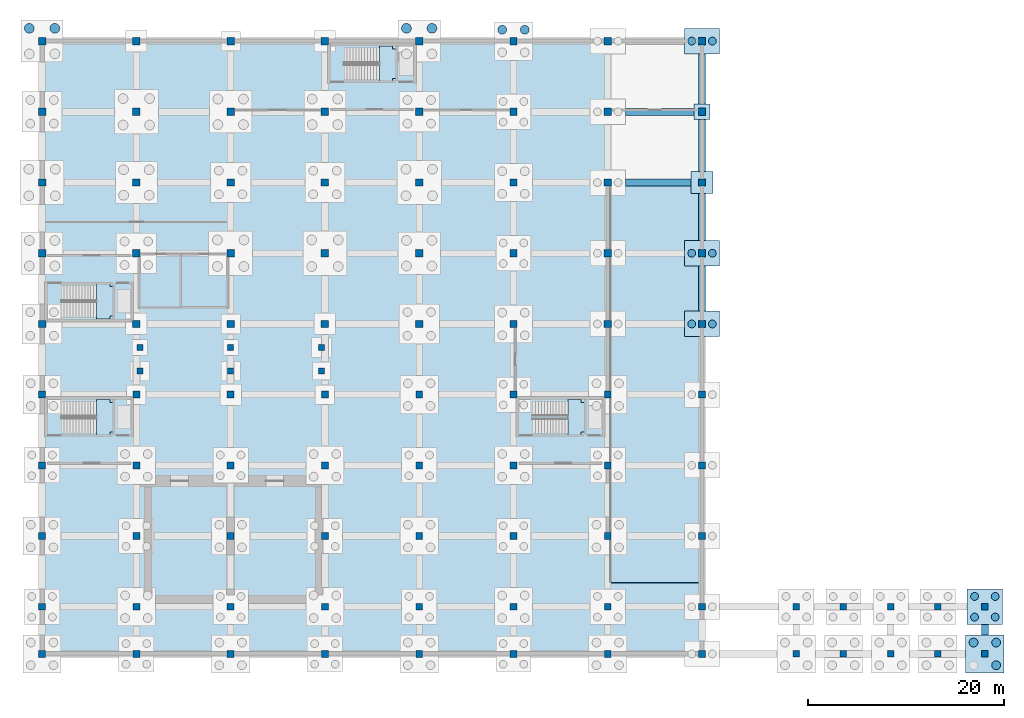
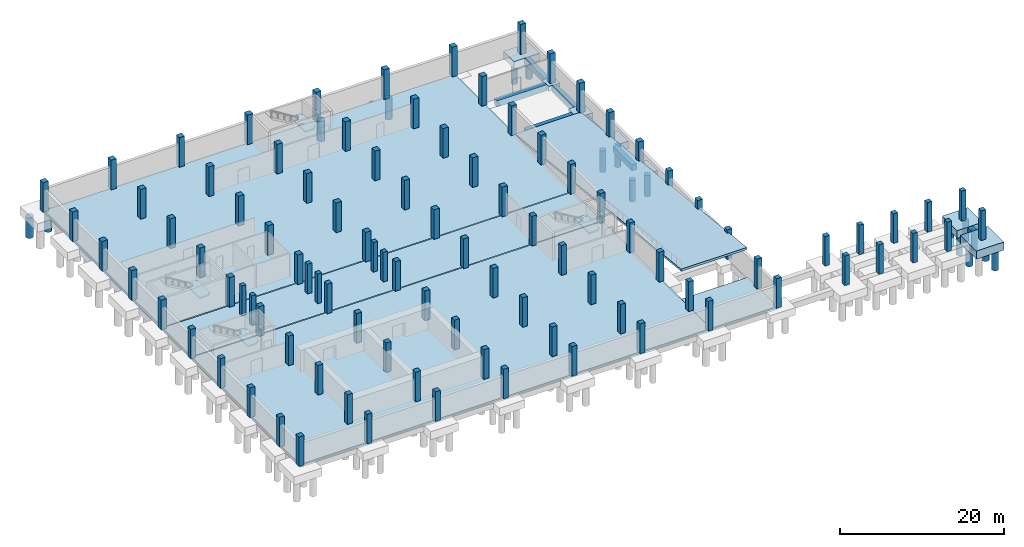
# One storey, part 5 of 13: 96 columns, 19 piles, 14 footings, 9 slabs, 4 elements without a shape of their own.
"""IFC4 building model written with IfcOpenShell, lengths in metres."""

from ifc_helpers import new_model, si_unit, direction, frame, origin, origin_2d, place, context, subcontext, project, spatial, polyline, rectangle, circle, outline, extrude, material, layer, layer_set, material_profile, profile_set, type_object, element, aggregate, save


model = new_model("IFC4")

# Units and contexts
model_context = context("Model", 3, precision=1e-05, world=origin(), true_north=direction((0.0, 1.0)))
body_context = subcontext(model_context, "Body", "Model", "MODEL_VIEW")
ifc_project = project(units=[si_unit("LENGTHUNIT", "METRE"), si_unit("AREAUNIT", "SQUARE_METRE"), si_unit("VOLUMEUNIT", "CUBIC_METRE"), si_unit("PLANEANGLEUNIT", "RADIAN"), si_unit("MASSUNIT", "GRAM", prefix="KILO")], contexts=[model_context])

# Site, building, storey
site_placement = place(None, origin())
site = spatial("IfcSite", under=ifc_project, at=site_placement, CompositionType="ELEMENT")
building_placement = place(site_placement, origin())
building = spatial("IfcBuilding", under=site, at=building_placement, Name="Asteropetra Specialist Clinic", CompositionType="ELEMENT")
storey_placement = place(building_placement, frame((0.0, 0.0, -4.419921875)))
storey = spatial("IfcBuildingStorey", under=building, at=storey_placement, Name="B1", CompositionType="ELEMENT", Elevation=-4.419921875)

# Footings
ifc_material_1 = material(Name="Concrete C35/45", Category="concrete")
ifc_material_profile_1 = material_profile(ifc_material_1, rectangle(XDim=0.699951171875, YDim=0.89990234375, at=origin_2d()), Name="FB 700x900")
ifc_profile_set_1 = profile_set([ifc_material_profile_1], Name="Concrete C35/45")
footing_type_1 = type_object("IfcFootingType", Name="FB-700x900", PredefinedType="FOOTING_BEAM", material=ifc_profile_set_1)
footing_1_placement = place(storey_placement, frame((59.39990234375, 48.0, -0.4501953125), z_axis=(1.0, 0.0, 0.0), x_axis=(0.0, 1.0, 0.0)))
element("IfcFooting", 1, at=footing_1_placement, inside=storey, type_object=footing_type_1, Name="Footing Tie Beam FB-0197", PredefinedType="FOOTING_BEAM", context=body_context, shape_type="SweptSolid", body=[
    extrude(rectangle(XDim=0.699951171875, YDim=0.89990234375, at=origin_2d()), origin(), (0.0, 0.0, 1.0), 6.7001953125),
])
footing_2_placement = place(storey_placement, frame((59.39990234375, 55.199951171875, -0.4501953125), z_axis=(1.0, 0.0, 0.0), x_axis=(0.0, 1.0, 0.0)))
element("IfcFooting", 2, at=footing_2_placement, inside=storey, type_object=footing_type_1, Name="Footing Tie Beam FB-0199", PredefinedType="FOOTING_BEAM", context=body_context, shape_type="SweptSolid", body=[
    extrude(rectangle(XDim=0.699951171875, YDim=0.89990234375, at=origin_2d()), origin(), (0.0, 0.0, 1.0), 7.0),
])
footing_3_placement = place(storey_placement, frame((67.199951171875, 34.89990234375, -0.4501953125), z_axis=(0.0, 1.0, 0.0), x_axis=(-1.0, 0.0, 0.0)))
element("IfcFooting", 3, at=footing_3_placement, inside=storey, type_object=footing_type_1, Name="Footing Tie Beam FB-0217", PredefinedType="FOOTING_BEAM", context=body_context, shape_type="SweptSolid", body=[
    extrude(rectangle(XDim=0.699951171875, YDim=0.89990234375, at=origin_2d()), origin(), (0.0, 0.0, 1.0), 4.60009765625),
])
footing_4_placement = place(storey_placement, frame((67.199951171875, 42.10009765625, -0.4501953125), z_axis=(0.0, 1.0, 0.0), x_axis=(-1.0, 0.0, 0.0)))
element("IfcFooting", 4, at=footing_4_placement, inside=storey, type_object=footing_type_1, Name="Footing Tie Beam FB-0218", PredefinedType="FOOTING_BEAM", context=body_context, shape_type="SweptSolid", body=[
    extrude(rectangle(XDim=0.699951171875, YDim=0.89990234375, at=origin_2d()), origin(), (0.0, 0.0, 1.0), 4.7998046875),
])
footing_5_placement = place(storey_placement, frame((67.199951171875, 49.10009765625, -0.4501953125), z_axis=(0.0, 1.0, 0.0), x_axis=(-1.0, 0.0, 0.0)))
element("IfcFooting", 5, at=footing_5_placement, inside=storey, type_object=footing_type_1, Name="Footing Tie Beam FB-0219", PredefinedType="FOOTING_BEAM", context=body_context, shape_type="SweptSolid", body=[
    extrude(rectangle(XDim=0.699951171875, YDim=0.89990234375, at=origin_2d()), origin(), (0.0, 0.0, 1.0), 5.2998046875),
])
footing_6_placement = place(storey_placement, frame((67.199951171875, 56.0, -0.4501953125), z_axis=(0.0, 1.0, 0.0), x_axis=(-1.0, 0.0, 0.0)))
element("IfcFooting", 6, at=footing_6_placement, inside=storey, type_object=footing_type_1, Name="Footing Tie Beam FB-0220", PredefinedType="FOOTING_BEAM", context=body_context, shape_type="SweptSolid", body=[
    extrude(rectangle(XDim=0.699951171875, YDim=0.89990234375, at=origin_2d()), origin(), (0.0, 0.0, 1.0), 5.10009765625),
])
footing_7_placement = place(storey_placement, frame((96.0, 1.949951171875, -0.4501953125), z_axis=(0.0, 1.0, 0.0), x_axis=(-1.0, 0.0, 0.0)))
element("IfcFooting", 7, at=footing_7_placement, inside=storey, type_object=footing_type_1, Name="Footing Tie Beam FB-0279", PredefinedType="FOOTING_BEAM", context=body_context, shape_type="SweptSolid", body=[
    extrude(rectangle(XDim=0.699951171875, YDim=0.89990234375, at=origin_2d()), origin(), (0.0, 0.0, 1.0), 1.050048828125),
])
ifc_material_2 = material(Name="Concrete C35/45", Category="concrete")
footing_type_2 = type_object("IfcFootingType", Name="PC-2600", PredefinedType="PILE_CAP", material=ifc_material_2)
for number, where, z_axis, x_axis, name in (
    (8, (67.199951171875, 33.60009765625, -1.10009765625), (0.0, 0.0, 1.0), (1.0, 0.0, 0.0), "Pile Cap PC-01-133"),
    (9, (67.199951171875, 40.800048828125, -1.10009765625), (0.0, 0.0, 1.0), (1.0, 0.0, 0.0), "Pile Cap PC-01-134"),
    (10, (67.199951171875, 62.39990234375, -1.10009765625), (0.0, 0.0, 1.0), (1.0, 0.0, 0.0), "Pile Cap PC-01-137"),
):
    element("IfcFooting", number, at=place(storey_placement, frame(where, z_axis=z_axis, x_axis=x_axis)), inside=storey, type_object=footing_type_2, Name=name, PredefinedType="PILE_CAP", context=body_context, shape_type="SweptSolid", body=[
        extrude(rectangle(XDim=3.60009765625, YDim=2.60009765625, at=origin_2d()), origin(), (0.0, 0.0, 1.0), 1.10009765625),
    ])
ifc_material_3 = material(Name="Concrete C35/45", Category="concrete")
footing_type_3 = type_object("IfcFootingType", Name="PC-2800", PredefinedType="PILE_CAP", material=ifc_material_3)
footing_8_placement = place(storey_placement, frame((96.0, 4.800048828125, -1.150146484375), z_axis=(0.0, 0.0, 1.0), x_axis=(1.0, 0.0, 0.0)))
element("IfcFooting", 11, at=footing_8_placement, inside=storey, type_object=footing_type_3, Name="Pile Cap PC-02-184", PredefinedType="PILE_CAP", context=body_context, shape_type="SweptSolid", body=[
    extrude(rectangle(XDim=3.60009765625, YDim=3.60009765625, at=origin_2d()), origin(), (0.0, 0.0, 1.0), 1.14990234375),
])
ifc_material_4 = material(Name="Concrete C35/45", Category="concrete")
footing_type_4 = type_object("IfcFootingType", Name="PC-3000", PredefinedType="PILE_CAP", material=ifc_material_4)
footing_9_placement = place(storey_placement, frame((96.0, 0.0, -1.2001953125), z_axis=(0.0, 0.0, 1.0), x_axis=(1.0, 0.0, 0.0)))
element("IfcFooting", 12, at=footing_9_placement, inside=storey, type_object=footing_type_4, Name="Pile Cap PC-03-183", PredefinedType="PILE_CAP", context=body_context, shape_type="SweptSolid", body=[
    extrude(rectangle(XDim=3.89990234375, YDim=3.89990234375, at=origin_2d()), origin(), (0.0, 0.0, 1.0), 1.199951171875),
])
ifc_material_5 = material(Name="Concrete C35/45", Category="concrete")
footing_type_5 = type_object("IfcFootingType", Name="PF-1600", PredefinedType="PAD_FOOTING", material=ifc_material_5)
footing_10_placement = place(storey_placement, frame((67.199951171875, 55.199951171875, -0.75), z_axis=(0.0, 0.0, 1.0), x_axis=(1.0, 0.0, 0.0)))
element("IfcFooting", 13, at=footing_10_placement, inside=storey, type_object=footing_type_5, Name="Pad Footing PF-01-136", PredefinedType="PAD_FOOTING", context=body_context, shape_type="SweptSolid", body=[
    extrude(rectangle(XDim=1.60009765625, YDim=1.60009765625, at=origin_2d()), origin(), (0.0, 0.0, 1.0), 0.75),
])
ifc_material_6 = material(Name="Concrete C35/45", Category="concrete")
footing_type_6 = type_object("IfcFootingType", Name="PF-2200", PredefinedType="PAD_FOOTING", material=ifc_material_6)
footing_11_placement = place(storey_placement, frame((67.199951171875, 48.0, -0.900146484375), z_axis=(0.0, 0.0, 1.0), x_axis=(1.0, 0.0, 0.0)))
element("IfcFooting", 14, at=footing_11_placement, inside=storey, type_object=footing_type_6, Name="Pad Footing PF-04-135", PredefinedType="PAD_FOOTING", context=body_context, shape_type="SweptSolid", body=[
    extrude(rectangle(XDim=2.199951171875, YDim=2.199951171875, at=origin_2d()), origin(), (0.0, 0.0, 1.0), 0.89990234375),
])

# Piles
ifc_material_7 = material(Name="Concrete C35/45", Category="concrete")
ifc_material_profile_2 = material_profile(ifc_material_7, circle(Radius=0.5, at=origin_2d()), Name="PILE D1000")
ifc_profile_set_2 = profile_set([ifc_material_profile_2], Name="Concrete C35/45")
pile_type_1 = type_object("IfcPileType", Name="PILE-B1000", PredefinedType="BORED", material=ifc_profile_set_2)
for number, where, z_axis, x_axis, name in (
    (15, (-1.300048828125, 63.699951171875, -1.150146484375), (0.0, 0.0, -1.0), (1.0, 0.0, 0.0), "Bored Pile PPL03-010-3"),
    (16, (1.300048828125, 63.699951171875, -1.150146484375), (0.0, 0.0, -1.0), (1.0, 0.0, 0.0), "Bored Pile PPL03-010-4"),
    (17, (37.10009765625, 63.699951171875, -1.150146484375), (0.0, 0.0, -1.0), (1.0, 0.0, 0.0), "Bored Pile PPL03-088-3"),
    (18, (39.699951171875, 63.699951171875, -1.150146484375), (0.0, 0.0, -1.0), (1.0, 0.0, 0.0), "Bored Pile PPL03-088-4"),
):
    element("IfcPile", number, at=place(storey_placement, frame(where, z_axis=z_axis, x_axis=x_axis)), inside=storey, type_object=pile_type_1, Name=name, PredefinedType="BORED", context=body_context, shape_type="SweptSolid", body=[
        extrude(circle(Radius=0.5, at=origin_2d()), origin(), (0.0, 0.0, 1.0), 3.050048828125),
    ])
ifc_material_8 = material(Name="Concrete C35/45", Category="concrete")
ifc_material_profile_3 = material_profile(ifc_material_8, circle(Radius=0.39990234375, at=origin_2d()), Name="PILE D800")
ifc_profile_set_3 = profile_set([ifc_material_profile_3], Name="Concrete C35/45")
pile_type_2 = type_object("IfcPileType", Name="PILE-B800", PredefinedType="BORED", material=ifc_profile_set_3)
for number, where, z_axis, x_axis, name in (
    (19, (66.14990234375, 33.60009765625, -1.0), (0.0, 0.0, -1.0), (1.0, 0.0, 0.0), "Bored Pile PPL01-133-1"),
    (20, (68.25, 33.60009765625, -1.0), (0.0, 0.0, -1.0), (1.0, 0.0, 0.0), "Bored Pile PPL01-133-2"),
    (21, (66.14990234375, 40.800048828125, -1.0), (0.0, 0.0, -1.0), (1.0, 0.0, 0.0), "Bored Pile PPL01-134-1"),
    (22, (68.25, 40.800048828125, -1.0), (0.0, 0.0, -1.0), (1.0, 0.0, 0.0), "Bored Pile PPL01-134-2"),
    (23, (66.14990234375, 62.39990234375, -1.0), (0.0, 0.0, -1.0), (1.0, 0.0, 0.0), "Bored Pile PPL01-137-1"),
    (24, (68.25, 62.39990234375, -1.0), (0.0, 0.0, -1.0), (1.0, 0.0, 0.0), "Bored Pile PPL01-137-2"),
):
    element("IfcPile", number, at=place(storey_placement, frame(where, z_axis=z_axis, x_axis=x_axis)), inside=storey, type_object=pile_type_2, Name=name, PredefinedType="BORED", context=body_context, shape_type="SweptSolid", body=[
        extrude(circle(Radius=0.39990234375, at=origin_2d()), origin(), (0.0, 0.0, 1.0), 3.199951171875),
    ])
for number, where, z_axis, x_axis, name in (
    (25, (94.949951171875, 3.75, -1.050048828125), (0.0, 0.0, -1.0), (1.0, 0.0, 0.0), "Bored Pile PPL01-184-1"),
    (26, (97.050048828125, 3.75, -1.050048828125), (0.0, 0.0, -1.0), (1.0, 0.0, 0.0), "Bored Pile PPL01-184-2"),
    (27, (94.949951171875, 5.85009765625, -1.050048828125), (0.0, 0.0, -1.0), (1.0, 0.0, 0.0), "Bored Pile PPL01-184-3"),
    (28, (97.050048828125, 5.85009765625, -1.050048828125), (0.0, 0.0, -1.0), (1.0, 0.0, 0.0), "Bored Pile PPL01-184-4"),
):
    element("IfcPile", number, at=place(storey_placement, frame(where, z_axis=z_axis, x_axis=x_axis)), inside=storey, type_object=pile_type_2, Name=name, PredefinedType="BORED", context=body_context, shape_type="SweptSolid", body=[
        extrude(circle(Radius=0.39990234375, at=origin_2d()), origin(), (0.0, 0.0, 1.0), 3.14990234375),
    ])
ifc_material_9 = material(Name="Concrete C35/45", Category="concrete")
ifc_material_profile_4 = material_profile(ifc_material_9, circle(Radius=0.449951171875, at=origin_2d()), Name="PILE D900")
ifc_profile_set_4 = profile_set([ifc_material_profile_4], Name="Concrete C35/45")
pile_type_3 = type_object("IfcPileType", Name="PILE-B900", PredefinedType="BORED", material=ifc_profile_set_4)
for number, where, z_axis, x_axis, name in (
    (29, (46.85009765625, 63.550048828125, -1.10009765625), (0.0, 0.0, -1.0), (1.0, 0.0, 0.0), "Bored Pile PPL02-105-3"),
    (30, (49.14990234375, 63.550048828125, -1.10009765625), (0.0, 0.0, -1.0), (1.0, 0.0, 0.0), "Bored Pile PPL02-105-4"),
    (31, (97.14990234375, -1.14990234375, -1.10009765625), (0.0, 0.0, -1.0), (1.0, 0.0, 0.0), "Bored Pile PPL02-183-2"),
    (32, (94.85009765625, 1.14990234375, -1.10009765625), (0.0, 0.0, -1.0), (1.0, 0.0, 0.0), "Bored Pile PPL02-183-3"),
    (33, (97.14990234375, 1.14990234375, -1.10009765625), (0.0, 0.0, -1.0), (1.0, 0.0, 0.0), "Bored Pile PPL02-183-4"),
):
    element("IfcPile", number, at=place(storey_placement, frame(where, z_axis=z_axis, x_axis=x_axis)), inside=storey, type_object=pile_type_3, Name=name, PredefinedType="BORED", context=body_context, shape_type="SweptSolid", body=[
        extrude(circle(Radius=0.449951171875, at=origin_2d()), origin(), (0.0, 0.0, 1.0), 3.10009765625),
    ])

# Columns
ifc_material_10 = material(Name="Concrete C35/45", Category="concrete")
ifc_material_profile_5 = material_profile(ifc_material_10, rectangle(XDim=0.60009765625, YDim=0.60009765625, at=origin_2d()), Name="RC 600x600")
ifc_profile_set_5 = profile_set([ifc_material_profile_5], Name="Concrete C35/45")
column_type_1 = type_object("IfcColumnType", Name="COL-RC600", PredefinedType="COLUMN", material=ifc_profile_set_5)
for number, where, z_axis, x_axis, name in (
    (34, (9.949951171875, 28.800048828125, 0.0), (0.0, 0.0, 1.0), (1.0, 0.0, 0.0), "Column CCOL05-0161"),
    (35, (9.949951171875, 31.199951171875, 0.0), (0.0, 0.0, 1.0), (1.0, 0.0, 0.0), "Column CCOL05-0165"),
    (36, (19.199951171875, 28.800048828125, 0.0), (0.0, 0.0, 1.0), (1.0, 0.0, 0.0), "Column CCOL05-0192"),
    (37, (19.199951171875, 31.199951171875, 0.0), (0.0, 0.0, 1.0), (1.0, 0.0, 0.0), "Column CCOL05-0196"),
    (38, (28.449951171875, 28.800048828125, 0.0), (0.0, 0.0, 1.0), (1.0, 0.0, 0.0), "Column CCOL05-0261"),
    (39, (28.449951171875, 31.199951171875, 0.0), (0.0, 0.0, 1.0), (1.0, 0.0, 0.0), "Column CCOL05-0265"),
):
    element("IfcColumn", number, at=place(storey_placement, frame(where, z_axis=z_axis, x_axis=x_axis)), inside=storey, type_object=column_type_1, Name=name, PredefinedType="COLUMN", context=body_context, shape_type="SweptSolid", body=[
        extrude(rectangle(XDim=0.60009765625, YDim=0.60009765625, at=origin_2d()), origin(), (0.0, 0.0, 1.0), 4.419921875),
    ])
ifc_material_11 = material(Name="Concrete C35/45", Category="concrete")
ifc_material_profile_6 = material_profile(ifc_material_11, rectangle(XDim=0.64990234375, YDim=0.64990234375, at=origin_2d()), Name="RC 650x650")
ifc_profile_set_6 = profile_set([ifc_material_profile_6], Name="Concrete C35/45")
column_type_2 = type_object("IfcColumnType", Name="COL-RC650", PredefinedType="COLUMN", material=ifc_profile_set_6)
for number, where, z_axis, x_axis, name in (
    (40, (76.800048828125, 0.0, 0.0), (0.0, 0.0, 1.0), (1.0, 0.0, 0.0), "Column CCOL04-0553"),
    (41, (76.800048828125, 4.800048828125, 0.0), (0.0, 0.0, 1.0), (1.0, 0.0, 0.0), "Column CCOL04-0555"),
    (42, (81.60009765625, 0.0, 0.0), (0.0, 0.0, 1.0), (1.0, 0.0, 0.0), "Column CCOL04-0582"),
    (43, (81.60009765625, 4.800048828125, 0.0), (0.0, 0.0, 1.0), (1.0, 0.0, 0.0), "Column CCOL04-0584"),
    (44, (86.39990234375, 0.0, 0.0), (0.0, 0.0, 1.0), (1.0, 0.0, 0.0), "Column CCOL04-0590"),
    (45, (86.39990234375, 4.800048828125, 0.0), (0.0, 0.0, 1.0), (1.0, 0.0, 0.0), "Column CCOL04-0592"),
    (46, (91.199951171875, 0.0, 0.0), (0.0, 0.0, 1.0), (1.0, 0.0, 0.0), "Column CCOL04-0608"),
    (47, (91.199951171875, 4.800048828125, 0.0), (0.0, 0.0, 1.0), (1.0, 0.0, 0.0), "Column CCOL04-0610"),
    (48, (96.0, 0.0, 0.0), (0.0, 0.0, 1.0), (1.0, 0.0, 0.0), "Column CCOL04-0612"),
    (49, (96.0, 4.800048828125, 0.0), (0.0, 0.0, 1.0), (1.0, 0.0, 0.0), "Column CCOL04-0614"),
):
    element("IfcColumn", number, at=place(storey_placement, frame(where, z_axis=z_axis, x_axis=x_axis)), inside=storey, type_object=column_type_2, Name=name, PredefinedType="COLUMN", context=body_context, shape_type="SweptSolid", body=[
        extrude(rectangle(XDim=0.64990234375, YDim=0.64990234375, at=origin_2d()), origin(), (0.0, 0.0, 1.0), 4.419921875),
    ])
ifc_material_12 = material(Name="Concrete C35/45", Category="concrete")
ifc_material_profile_7 = material_profile(ifc_material_12, rectangle(XDim=0.699951171875, YDim=0.699951171875, at=origin_2d()), Name="RC 700x700")
ifc_profile_set_7 = profile_set([ifc_material_profile_7], Name="Concrete C35/45")
column_type_3 = type_object("IfcColumnType", Name="COL-RC700", PredefinedType="COLUMN", material=ifc_profile_set_7)
for number, where, z_axis, x_axis, name in (
    (50, (0.0, 0.0, 0.0), (0.0, 0.0, 1.0), (1.0, 0.0, 0.0), "Column CCOL03-0001"),
    (51, (0.0, 4.800048828125, 0.0), (0.0, 0.0, 1.0), (1.0, 0.0, 0.0), "Column CCOL03-0004"),
    (52, (0.0, 12.0, 0.0), (0.0, 0.0, 1.0), (1.0, 0.0, 0.0), "Column CCOL03-0007"),
    (53, (0.0, 19.199951171875, 0.0), (0.0, 0.0, 1.0), (1.0, 0.0, 0.0), "Column CCOL03-0010"),
    (54, (0.0, 26.39990234375, 0.0), (0.0, 0.0, 1.0), (1.0, 0.0, 0.0), "Column CCOL03-0013"),
    (55, (9.60009765625, 0.0, 0.0), (0.0, 0.0, 1.0), (1.0, 0.0, 0.0), "Column CCOL03-0081"),
    (56, (9.60009765625, 4.800048828125, 0.0), (0.0, 0.0, 1.0), (1.0, 0.0, 0.0), "Column CCOL03-0084"),
    (57, (9.60009765625, 12.0, 0.0), (0.0, 0.0, 1.0), (1.0, 0.0, 0.0), "Column CCOL03-0087"),
    (58, (9.60009765625, 19.199951171875, 0.0), (0.0, 0.0, 1.0), (1.0, 0.0, 0.0), "Column CCOL03-0090"),
    (59, (9.60009765625, 26.39990234375, 0.0), (0.0, 0.0, 1.0), (1.0, 0.0, 0.0), "Column CCOL03-0093"),
    (60, (19.199951171875, 0.0, 0.0), (0.0, 0.0, 1.0), (1.0, 0.0, 0.0), "Column CCOL03-0177"),
    (61, (19.199951171875, 4.800048828125, 0.0), (0.0, 0.0, 1.0), (1.0, 0.0, 0.0), "Column CCOL03-0180"),
    (62, (19.199951171875, 12.0, 0.0), (0.0, 0.0, 1.0), (1.0, 0.0, 0.0), "Column CCOL03-0183"),
    (63, (19.199951171875, 19.199951171875, 0.0), (0.0, 0.0, 1.0), (1.0, 0.0, 0.0), "Column CCOL03-0186"),
    (64, (19.199951171875, 26.39990234375, 0.0), (0.0, 0.0, 1.0), (1.0, 0.0, 0.0), "Column CCOL03-0189"),
    (65, (28.800048828125, 0.0, 0.0), (0.0, 0.0, 1.0), (1.0, 0.0, 0.0), "Column CCOL03-0277"),
    (66, (28.800048828125, 4.800048828125, 0.0), (0.0, 0.0, 1.0), (1.0, 0.0, 0.0), "Column CCOL03-0280"),
    (67, (28.800048828125, 12.0, 0.0), (0.0, 0.0, 1.0), (1.0, 0.0, 0.0), "Column CCOL03-0283"),
    (68, (28.800048828125, 19.199951171875, 0.0), (0.0, 0.0, 1.0), (1.0, 0.0, 0.0), "Column CCOL03-0286"),
    (69, (28.800048828125, 26.39990234375, 0.0), (0.0, 0.0, 1.0), (1.0, 0.0, 0.0), "Column CCOL03-0289"),
    (70, (38.39990234375, 0.0, 0.0), (0.0, 0.0, 1.0), (1.0, 0.0, 0.0), "Column CCOL03-0357"),
    (71, (38.39990234375, 4.800048828125, 0.0), (0.0, 0.0, 1.0), (1.0, 0.0, 0.0), "Column CCOL03-0360"),
    (72, (38.39990234375, 12.0, 0.0), (0.0, 0.0, 1.0), (1.0, 0.0, 0.0), "Column CCOL03-0363"),
    (73, (38.39990234375, 19.199951171875, 0.0), (0.0, 0.0, 1.0), (1.0, 0.0, 0.0), "Column CCOL03-0366"),
    (74, (38.39990234375, 26.39990234375, 0.0), (0.0, 0.0, 1.0), (1.0, 0.0, 0.0), "Column CCOL03-0369"),
    (75, (48.0, 0.0, 0.0), (0.0, 0.0, 1.0), (1.0, 0.0, 0.0), "Column CCOL03-0437"),
    (76, (48.0, 4.800048828125, 0.0), (0.0, 0.0, 1.0), (1.0, 0.0, 0.0), "Column CCOL03-0440"),
    (77, (48.0, 12.0, 0.0), (0.0, 0.0, 1.0), (1.0, 0.0, 0.0), "Column CCOL03-0443"),
    (78, (48.0, 19.199951171875, 0.0), (0.0, 0.0, 1.0), (1.0, 0.0, 0.0), "Column CCOL03-0446"),
    (79, (48.0, 26.39990234375, 0.0), (0.0, 0.0, 1.0), (1.0, 0.0, 0.0), "Column CCOL03-0449"),
    (80, (57.60009765625, 0.0, 0.0), (0.0, 0.0, 1.0), (1.0, 0.0, 0.0), "Column CCOL03-0495"),
    (81, (57.60009765625, 4.800048828125, 0.0), (0.0, 0.0, 1.0), (1.0, 0.0, 0.0), "Column CCOL03-0498"),
    (82, (57.60009765625, 12.0, 0.0), (0.0, 0.0, 1.0), (1.0, 0.0, 0.0), "Column CCOL03-0501"),
    (83, (57.60009765625, 19.199951171875, 0.0), (0.0, 0.0, 1.0), (1.0, 0.0, 0.0), "Column CCOL03-0504"),
    (84, (57.60009765625, 26.39990234375, 0.0), (0.0, 0.0, 1.0), (1.0, 0.0, 0.0), "Column CCOL03-0507"),
    (85, (67.199951171875, 0.0, 0.0), (0.0, 0.0, 1.0), (1.0, 0.0, 0.0), "Column CCOL03-0525"),
    (86, (67.199951171875, 4.800048828125, 0.0), (0.0, 0.0, 1.0), (1.0, 0.0, 0.0), "Column CCOL03-0526"),
    (87, (67.199951171875, 12.0, 0.0), (0.0, 0.0, 1.0), (1.0, 0.0, 0.0), "Column CCOL03-0527"),
    (88, (67.199951171875, 19.199951171875, 0.0), (0.0, 0.0, 1.0), (1.0, 0.0, 0.0), "Column CCOL03-0528"),
    (89, (67.199951171875, 26.39990234375, 0.0), (0.0, 0.0, 1.0), (1.0, 0.0, 0.0), "Column CCOL03-0529"),
):
    element("IfcColumn", number, at=place(storey_placement, frame(where, z_axis=z_axis, x_axis=x_axis)), inside=storey, type_object=column_type_3, Name=name, PredefinedType="COLUMN", context=body_context, shape_type="SweptSolid", body=[
        extrude(rectangle(XDim=0.699951171875, YDim=0.699951171875, at=origin_2d()), origin(), (0.0, 0.0, 1.0), 4.419921875),
    ])
ifc_material_13 = material(Name="Concrete C35/45", Category="concrete")
ifc_material_profile_8 = material_profile(ifc_material_13, rectangle(XDim=0.75, YDim=0.75, at=origin_2d()), Name="RC 750x750")
ifc_profile_set_8 = profile_set([ifc_material_profile_8], Name="Concrete C35/45")
column_type_4 = type_object("IfcColumnType", Name="COL-RC750", PredefinedType="COLUMN", material=ifc_profile_set_8)
for number, where, z_axis, x_axis, name in (
    (90, (0.0, 33.60009765625, 0.0), (0.0, 0.0, 1.0), (1.0, 0.0, 0.0), "Column CCOL02-0016"),
    (91, (0.0, 40.800048828125, 0.0), (0.0, 0.0, 1.0), (1.0, 0.0, 0.0), "Column CCOL02-0021"),
    (92, (0.0, 48.0, 0.0), (0.0, 0.0, 1.0), (1.0, 0.0, 0.0), "Column CCOL02-0026"),
    (93, (0.0, 55.199951171875, 0.0), (0.0, 0.0, 1.0), (1.0, 0.0, 0.0), "Column CCOL02-0031"),
    (94, (0.0, 62.39990234375, 0.0), (0.0, 0.0, 1.0), (1.0, 0.0, 0.0), "Column CCOL02-0036"),
    (95, (9.60009765625, 33.60009765625, 0.0), (0.0, 0.0, 1.0), (1.0, 0.0, 0.0), "Column CCOL02-0096"),
    (96, (9.60009765625, 40.800048828125, 0.0), (0.0, 0.0, 1.0), (1.0, 0.0, 0.0), "Column CCOL02-0101"),
    (97, (9.60009765625, 48.0, 0.0), (0.0, 0.0, 1.0), (1.0, 0.0, 0.0), "Column CCOL02-0106"),
    (98, (9.60009765625, 55.199951171875, 0.0), (0.0, 0.0, 1.0), (1.0, 0.0, 0.0), "Column CCOL02-0111"),
    (99, (9.60009765625, 62.39990234375, 0.0), (0.0, 0.0, 1.0), (1.0, 0.0, 0.0), "Column CCOL02-0116"),
    (100, (19.199951171875, 33.60009765625, 0.0), (0.0, 0.0, 1.0), (1.0, 0.0, 0.0), "Column CCOL02-0200"),
    (101, (19.199951171875, 40.800048828125, 0.0), (0.0, 0.0, 1.0), (1.0, 0.0, 0.0), "Column CCOL02-0205"),
    (102, (19.199951171875, 48.0, 0.0), (0.0, 0.0, 1.0), (1.0, 0.0, 0.0), "Column CCOL02-0210"),
    (103, (19.199951171875, 55.199951171875, 0.0), (0.0, 0.0, 1.0), (1.0, 0.0, 0.0), "Column CCOL02-0215"),
    (104, (19.199951171875, 62.39990234375, 0.0), (0.0, 0.0, 1.0), (1.0, 0.0, 0.0), "Column CCOL02-0220"),
    (105, (28.800048828125, 33.60009765625, 0.0), (0.0, 0.0, 1.0), (1.0, 0.0, 0.0), "Column CCOL02-0292"),
    (106, (28.800048828125, 40.800048828125, 0.0), (0.0, 0.0, 1.0), (1.0, 0.0, 0.0), "Column CCOL02-0297"),
    (107, (28.800048828125, 48.0, 0.0), (0.0, 0.0, 1.0), (1.0, 0.0, 0.0), "Column CCOL02-0302"),
    (108, (28.800048828125, 55.199951171875, 0.0), (0.0, 0.0, 1.0), (1.0, 0.0, 0.0), "Column CCOL02-0307"),
    (109, (28.800048828125, 62.39990234375, 0.0), (0.0, 0.0, 1.0), (1.0, 0.0, 0.0), "Column CCOL02-0312"),
    (110, (38.39990234375, 33.60009765625, 0.0), (0.0, 0.0, 1.0), (1.0, 0.0, 0.0), "Column CCOL02-0372"),
    (111, (38.39990234375, 40.800048828125, 0.0), (0.0, 0.0, 1.0), (1.0, 0.0, 0.0), "Column CCOL02-0377"),
    (112, (38.39990234375, 48.0, 0.0), (0.0, 0.0, 1.0), (1.0, 0.0, 0.0), "Column CCOL02-0382"),
    (113, (38.39990234375, 55.199951171875, 0.0), (0.0, 0.0, 1.0), (1.0, 0.0, 0.0), "Column CCOL02-0387"),
    (114, (38.39990234375, 62.39990234375, 0.0), (0.0, 0.0, 1.0), (1.0, 0.0, 0.0), "Column CCOL02-0392"),
    (115, (48.0, 33.60009765625, 0.0), (0.0, 0.0, 1.0), (1.0, 0.0, 0.0), "Column CCOL02-0452"),
    (116, (48.0, 40.800048828125, 0.0), (0.0, 0.0, 1.0), (1.0, 0.0, 0.0), "Column CCOL02-0455"),
    (117, (48.0, 48.0, 0.0), (0.0, 0.0, 1.0), (1.0, 0.0, 0.0), "Column CCOL02-0458"),
    (118, (48.0, 55.199951171875, 0.0), (0.0, 0.0, 1.0), (1.0, 0.0, 0.0), "Column CCOL02-0461"),
    (119, (48.0, 62.39990234375, 0.0), (0.0, 0.0, 1.0), (1.0, 0.0, 0.0), "Column CCOL02-0464"),
    (120, (57.60009765625, 33.60009765625, 0.0), (0.0, 0.0, 1.0), (1.0, 0.0, 0.0), "Column CCOL02-0510"),
    (121, (57.60009765625, 40.800048828125, 0.0), (0.0, 0.0, 1.0), (1.0, 0.0, 0.0), "Column CCOL02-0511"),
    (122, (57.60009765625, 48.0, 0.0), (0.0, 0.0, 1.0), (1.0, 0.0, 0.0), "Column CCOL02-0512"),
    (123, (57.60009765625, 55.199951171875, 0.0), (0.0, 0.0, 1.0), (1.0, 0.0, 0.0), "Column CCOL02-0513"),
    (124, (57.60009765625, 62.39990234375, 0.0), (0.0, 0.0, 1.0), (1.0, 0.0, 0.0), "Column CCOL02-0514"),
    (125, (67.199951171875, 33.60009765625, 0.0), (0.0, 0.0, 1.0), (1.0, 0.0, 0.0), "Column CCOL02-0530"),
    (126, (67.199951171875, 40.800048828125, 0.0), (0.0, 0.0, 1.0), (1.0, 0.0, 0.0), "Column CCOL02-0531"),
    (127, (67.199951171875, 48.0, 0.0), (0.0, 0.0, 1.0), (1.0, 0.0, 0.0), "Column CCOL02-0532"),
    (128, (67.199951171875, 55.199951171875, 0.0), (0.0, 0.0, 1.0), (1.0, 0.0, 0.0), "Column CCOL02-0533"),
    (129, (67.199951171875, 62.39990234375, 0.0), (0.0, 0.0, 1.0), (1.0, 0.0, 0.0), "Column CCOL02-0534"),
):
    element("IfcColumn", number, at=place(storey_placement, frame(where, z_axis=z_axis, x_axis=x_axis)), inside=storey, type_object=column_type_4, Name=name, PredefinedType="COLUMN", context=body_context, shape_type="SweptSolid", body=[
        extrude(rectangle(XDim=0.75, YDim=0.75, at=origin_2d()), origin(), (0.0, 0.0, 1.0), 4.419921875),
    ])

# Slabs
ifc_material_14 = material(Name="Concrete C35/45", Category="concrete")
ifc_layer_1 = layer(ifc_material_14, 0.449951171875)
ifc_layer_set_1 = layer_set([ifc_layer_1], Name="Concrete C35/45")
slab_type_1 = type_object("IfcSlabType", Name="SLB-BASE-450", PredefinedType="BASESLAB", material=ifc_layer_set_1)
slab_1_placement = place(storey_placement, frame((0.0, 0.0, -0.4501953125)))
element("IfcSlab", 130, at=slab_1_placement, inside=storey, type_object=slab_type_1, Name="Slab B1-SW B1", PredefinedType="BASESLAB", context=body_context, shape_type="SweptSolid", body=[
    extrude(outline(polyline([(0.0, 0.0), (57.800048828125, 0.0), (57.800048828125, 26.35009765625), (0.0, 26.35009765625), (0.0, 0.0)])), origin(), (0.0, 0.0, 1.0), 0.4501953125),
])
slab_2_placement = place(storey_placement, frame((0.0, 0.0, -0.4501953125)))
element("IfcSlab", 131, at=slab_2_placement, inside=storey, type_object=slab_type_1, Name="Slab B1-SE-APR B1", PredefinedType="BASESLAB", context=body_context, shape_type="SweptSolid", body=[
    extrude(outline(polyline([(57.800048828125, 0.0), (67.199951171875, 0.0), (67.199951171875, 7.199951171875), (57.800048828125, 7.199951171875), (57.800048828125, 0.0)])), origin(), (0.0, 0.0, 1.0), 0.4501953125),
])
slab_3_placement = place(storey_placement, frame((0.0, 0.0, -0.4501953125)))
element("IfcSlab", 132, at=slab_3_placement, inside=storey, type_object=slab_type_1, Name="Slab B1-MID B1", PredefinedType="BASESLAB", context=body_context, shape_type="SweptSolid", body=[
    extrude(outline(polyline([(0.0, 26.449951171875), (57.800048828125, 26.449951171875), (57.800048828125, 33.550048828125), (0.0, 33.550048828125), (0.0, 26.449951171875)])), origin(), (0.0, 0.0, 1.0), 0.4501953125),
])
slab_4_placement = place(storey_placement, frame((0.0, 0.0, -0.4501953125)))
element("IfcSlab", 133, at=slab_4_placement, inside=storey, type_object=slab_type_1, Name="Slab B1-NW B1", PredefinedType="BASESLAB", context=body_context, shape_type="SweptSolid", body=[
    extrude(outline(polyline([(0.0, 33.64990234375), (57.800048828125, 33.64990234375), (57.800048828125, 62.39990234375), (0.0, 62.39990234375), (0.0, 33.64990234375)])), origin(), (0.0, 0.0, 1.0), 0.4501953125),
])

# Stair, slab
ifc_material_15 = material(Name="Concrete C35/45", Category="concrete")
stair_type_1 = type_object("IfcStairType", Name="STR-DOG-165", PredefinedType="TWO_STRAIGHT_RUN_STAIR", material=ifc_material_15)
stair_1_placement = place(storey_placement, origin())
stair_1 = element("IfcStair", 134, at=stair_1_placement, inside=storey, type_object=stair_type_1, Name="Type I Stair ST04-B1", PredefinedType="TWO_STRAIGHT_RUN_STAIR")
ifc_material_16 = material(Name="Concrete C35/45", Category="concrete")
ifc_layer_2 = layer(ifc_material_16, 0.199951171875)
ifc_layer_set_2 = layer_set([ifc_layer_2], Name="Concrete C35/45")
slab_type_2 = type_object("IfcSlabType", Name="SLB-LND-200", PredefinedType="LANDING", material=ifc_layer_set_2)
slab_5_placement = place(storey_placement, frame((0.0, 0.0, 2.010009765625)))
slab_5 = element("IfcSlab", 135, at=slab_5_placement, type_object=slab_type_2, Name="ST04-B1 landing 1", PredefinedType="LANDING", context=body_context, shape_type="SweptSolid", body=[
    extrude(outline(polyline([(5.550048828125, 34.090087890625), (6.89990234375, 34.090087890625), (6.89990234375, 34.409912109375), (7.219970703125, 34.409912109375), (7.219970703125, 37.409912109375), (6.89990234375, 37.409912109375), (6.89990234375, 37.72998046875), (5.550048828125, 37.72998046875), (5.550048828125, 34.090087890625)])), origin(), (0.0, 0.0, 1.0), 0.199951171875),
])
aggregate(stair_1, [slab_5])

ifc_material_17 = material(Name="Concrete C35/45", Category="concrete")
stair_type_2 = type_object("IfcStairType", Name="STR-DOG-160", PredefinedType="TWO_STRAIGHT_RUN_STAIR", material=ifc_material_17)
stair_2_placement = place(storey_placement, origin())
stair_2 = element("IfcStair", 136, at=stair_2_placement, inside=storey, type_object=stair_type_2, Name="Type I Stair ST05-B1", PredefinedType="TWO_STRAIGHT_RUN_STAIR")
slab_6_placement = place(storey_placement, frame((0.0, 0.0, 2.010009765625)))
slab_6 = element("IfcSlab", 137, at=slab_6_placement, type_object=slab_type_2, Name="ST05-B1 landing 1", PredefinedType="LANDING", context=body_context, shape_type="SweptSolid", body=[
    extrude(outline(polyline([(34.35009765625, 58.27001953125), (35.699951171875, 58.27001953125), (35.699951171875, 58.590087890625), (36.02001953125, 58.590087890625), (36.02001953125, 61.590087890625), (35.699951171875, 61.590087890625), (35.699951171875, 61.909912109375), (34.35009765625, 61.909912109375), (34.35009765625, 58.27001953125)])), origin(), (0.0, 0.0, 1.0), 0.199951171875),
])
aggregate(stair_2, [slab_6])

stair_3_placement = place(storey_placement, origin())
stair_3 = element("IfcStair", 138, at=stair_3_placement, inside=storey, type_object=stair_type_2, Name="Type I Stair ST06-B1", PredefinedType="TWO_STRAIGHT_RUN_STAIR")
slab_7_placement = place(storey_placement, frame((0.0, 0.0, 2.010009765625)))
slab_7 = element("IfcSlab", 139, at=slab_7_placement, type_object=slab_type_2, Name="ST06-B1 landing 1", PredefinedType="LANDING", context=body_context, shape_type="SweptSolid", body=[
    extrude(outline(polyline([(5.550048828125, 22.27001953125), (6.89990234375, 22.27001953125), (6.89990234375, 22.590087890625), (7.219970703125, 22.590087890625), (7.219970703125, 25.590087890625), (6.89990234375, 25.590087890625), (6.89990234375, 25.909912109375), (5.550048828125, 25.909912109375), (5.550048828125, 22.27001953125)])), origin(), (0.0, 0.0, 1.0), 0.199951171875),
])
aggregate(stair_3, [slab_7])

ifc_material_18 = material(Name="Concrete C35/45", Category="concrete")
stair_type_3 = type_object("IfcStairType", Name="STR-DOG-155", PredefinedType="TWO_STRAIGHT_RUN_STAIR", material=ifc_material_18)
stair_4_placement = place(storey_placement, origin())
stair_4 = element("IfcStair", 140, at=stair_4_placement, inside=storey, type_object=stair_type_3, Name="Type I Stair ST07-B1", PredefinedType="TWO_STRAIGHT_RUN_STAIR")
slab_8_placement = place(storey_placement, frame((0.0, 0.0, 2.010009765625)))
slab_8 = element("IfcSlab", 141, at=slab_8_placement, type_object=slab_type_2, Name="ST07-B1 landing 1", PredefinedType="LANDING", context=body_context, shape_type="SweptSolid", body=[
    extrude(outline(polyline([(53.550048828125, 22.27001953125), (54.89990234375, 22.27001953125), (54.89990234375, 22.590087890625), (55.219970703125, 22.590087890625), (55.219970703125, 25.590087890625), (54.89990234375, 25.590087890625), (54.89990234375, 25.909912109375), (53.550048828125, 25.909912109375), (53.550048828125, 22.27001953125)])), origin(), (0.0, 0.0, 1.0), 0.199951171875),
])
aggregate(stair_4, [slab_8])

# Slab
ifc_material_19 = material(Name="Concrete C35/45", Category="concrete")
ifc_layer_3 = layer(ifc_material_19, 0.300048828125)
ifc_layer_set_3 = layer_set([ifc_layer_3], Name="Concrete C35/45")
slab_type_3 = type_object("IfcSlabType", Name="SLB-RAMP-300", PredefinedType="USERDEFINED", material=ifc_layer_set_3)
slab_9_placement = place(storey_placement, frame((57.820068359375, 47.760009765625, 0.0), z_axis=(0.0, 0.10846322682, 0.994100461939), x_axis=(1.0, 0.0, 0.0)))
element("IfcSlab", 142, at=slab_9_placement, inside=storey, type_object=slab_type_3, Name="Basement Two-Way Vehicle Ramp Slab RMP-01", ObjectType="RAMP", PredefinedType="USERDEFINED", context=body_context, shape_type="SweptSolid", body=[
    extrude(outline(polyline([(0.0, 0.0), (9.260009765625, 0.0), (9.260009765625, -40.7504184100254), (0.0, -40.7504184100254), (0.0, 0.0)])), origin(), (0.0, 0.0, -1.0), 0.300048828125),
])

save(model, "model.ifc")
